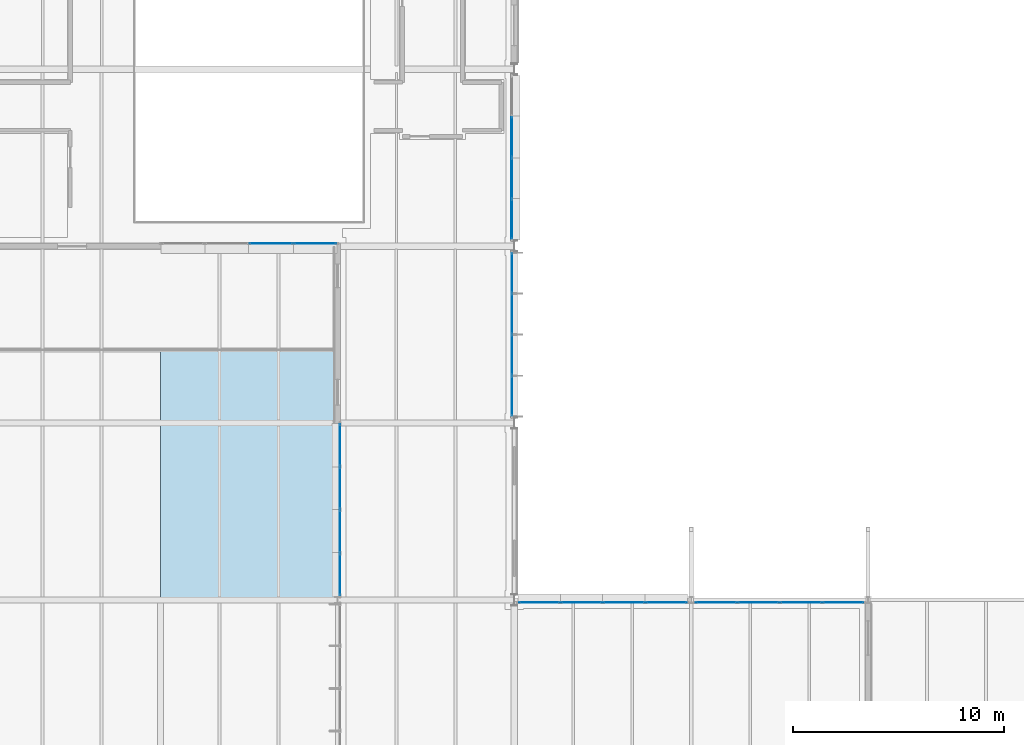
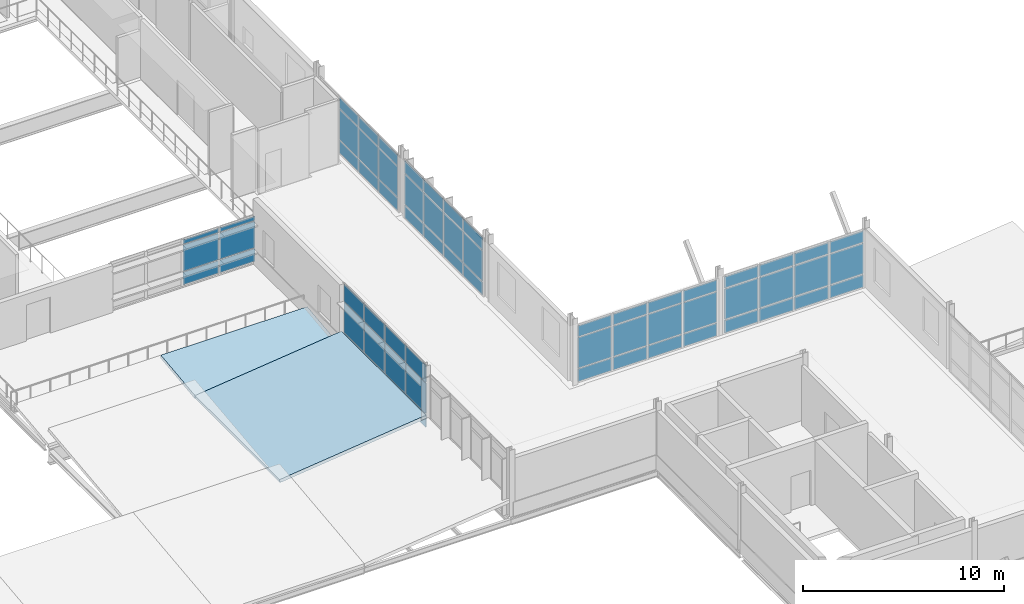
# One storey, part 96 of 131: 63 plates, 2 slabs, 6 elements without a shape of their own.
"""IFC4 building model written with IfcOpenShell, lengths in metres."""

from ifc_helpers import new_model, si_unit, direction, frame, origin, origin_2d, place, context, subcontext, project, spatial, polyline, rectangle, outline, extrude, material, layer, layer_set, type_object, element, aggregate, save


model = new_model("IFC4")

# Units and contexts
model_context = context("Model", 3, precision=1e-05, world=origin(), true_north=direction((0.0, 1.0)))
body_context = subcontext(model_context, "Body", "Model", "MODEL_VIEW")
ifc_project = project(units=[si_unit("LENGTHUNIT", "METRE"), si_unit("AREAUNIT", "SQUARE_METRE"), si_unit("VOLUMEUNIT", "CUBIC_METRE"), si_unit("PLANEANGLEUNIT", "RADIAN"), si_unit("MASSUNIT", "GRAM", prefix="KILO")], contexts=[model_context])

# Site, building, storey
site_placement = place(None, origin())
site = spatial("IfcSite", under=ifc_project, at=site_placement, CompositionType="ELEMENT")
building_placement = place(site_placement, origin())
building = spatial("IfcBuilding", under=site, at=building_placement, Name="Mersafa Astral City Hall", CompositionType="ELEMENT")
storey_placement = place(building_placement, frame((0.0, 0.0, 13.949951171875)))
storey = spatial("IfcBuildingStorey", under=building, at=storey_placement, Name="L03", CompositionType="ELEMENT", Elevation=13.949951171875)

# Curtain wall, plates
ifc_material_1 = material(Name="Anodised bronze aluminium framing", Category="aluminium")
curtain_wall_type_1 = type_object("IfcCurtainWallType", Name="ENV-CW-3", PredefinedType="USERDEFINED", material=ifc_material_1)
curtain_wall_1_placement = place(storey_placement, origin())
curtain_wall_1 = element("IfcCurtainWall", 1, at=curtain_wall_1_placement, inside=storey, type_object=curtain_wall_type_1, Name="L03 Unitised solar curtain wall 152", ObjectType="UNITISED CURTAIN WALL", PredefinedType="USERDEFINED")
ifc_material_2 = material(Name="Solar control low-e double glazing", Category="glass")
ifc_layer_1 = layer(ifc_material_2, 0.028076171875, Name="Solar control low-e double glazing")
ifc_layer_set_1 = layer_set([ifc_layer_1], Name="Solar control low-e double glazing — ENV-CW-PNL-GLZ-1")
plate_type_1 = type_object("IfcPlateType", Name="ENV-CW-PNL-GLZ-1", PredefinedType="CURTAIN_PANEL", material=ifc_layer_set_1)
plate_1_placement = place(storey_placement, frame((117.47998046875, 43.2802734375, 0.05810546875), z_axis=(0.0, 0.0, 1.0), x_axis=(0.0, 1.0, 0.0)))
plate_1 = element("IfcPlate", 2, at=plate_1_placement, type_object=plate_type_1, Name="CW-3 panel 1.1", PredefinedType="CURTAIN_PANEL", context=body_context, shape_type="SweptSolid", body=[
    extrude(rectangle(XDim=1.866455078125, YDim=0.028076171875, at=origin_2d()), origin(), (0.0, 0.0, 1.0), 0.761962890625),
])
plate_2_placement = place(storey_placement, frame((117.47998046875, 43.2802734375, 0.8798828125), z_axis=(0.0, 0.0, 1.0), x_axis=(0.0, 1.0, 0.0)))
plate_2 = element("IfcPlate", 3, at=plate_2_placement, type_object=plate_type_1, Name="CW-3 panel 1.2", PredefinedType="CURTAIN_PANEL", context=body_context, shape_type="SweptSolid", body=[
    extrude(rectangle(XDim=1.866455078125, YDim=0.028076171875, at=origin_2d()), origin(), (0.0, 0.0, 1.0), 1.840087890625),
])
plate_3_placement = place(storey_placement, frame((117.47998046875, 43.2802734375, 2.77978515625), z_axis=(0.0, 0.0, 1.0), x_axis=(0.0, 1.0, 0.0)))
plate_3 = element("IfcPlate", 4, at=plate_3_placement, type_object=plate_type_1, Name="CW-3 panel 1.3", PredefinedType="CURTAIN_PANEL", context=body_context, shape_type="SweptSolid", body=[
    extrude(rectangle(XDim=1.866455078125, YDim=0.028076171875, at=origin_2d()), origin(), (0.0, 0.0, 1.0), 0.737060546875),
])
plate_4_placement = place(storey_placement, frame((117.47998046875, 45.2216796875, 0.05810546875), z_axis=(0.0, 0.0, 1.0), x_axis=(0.0, 1.0, 0.0)))
plate_4 = element("IfcPlate", 5, at=plate_4_placement, type_object=plate_type_1, Name="CW-3 panel 2.1", PredefinedType="CURTAIN_PANEL", context=body_context, shape_type="SweptSolid", body=[
    extrude(rectangle(XDim=1.896484375, YDim=0.028076171875, at=origin_2d()), origin(), (0.0, 0.0, 1.0), 0.761962890625),
])
plate_5_placement = place(storey_placement, frame((117.47998046875, 45.2216796875, 0.8798828125), z_axis=(0.0, 0.0, 1.0), x_axis=(0.0, 1.0, 0.0)))
plate_5 = element("IfcPlate", 6, at=plate_5_placement, type_object=plate_type_1, Name="CW-3 panel 2.2", PredefinedType="CURTAIN_PANEL", context=body_context, shape_type="SweptSolid", body=[
    extrude(rectangle(XDim=1.896484375, YDim=0.028076171875, at=origin_2d()), origin(), (0.0, 0.0, 1.0), 1.840087890625),
])
plate_6_placement = place(storey_placement, frame((117.47998046875, 45.2216796875, 2.77978515625), z_axis=(0.0, 0.0, 1.0), x_axis=(0.0, 1.0, 0.0)))
plate_6 = element("IfcPlate", 7, at=plate_6_placement, type_object=plate_type_1, Name="CW-3 panel 2.3", PredefinedType="CURTAIN_PANEL", context=body_context, shape_type="SweptSolid", body=[
    extrude(rectangle(XDim=1.896484375, YDim=0.028076171875, at=origin_2d()), origin(), (0.0, 0.0, 1.0), 0.737060546875),
])
plate_7_placement = place(storey_placement, frame((117.47998046875, 47.17822265625, 0.05810546875), z_axis=(0.0, 0.0, 1.0), x_axis=(0.0, 1.0, 0.0)))
plate_7 = element("IfcPlate", 8, at=plate_7_placement, type_object=plate_type_1, Name="CW-3 panel 3.1", PredefinedType="CURTAIN_PANEL", context=body_context, shape_type="SweptSolid", body=[
    extrude(rectangle(XDim=1.896484375, YDim=0.028076171875, at=origin_2d()), origin(), (0.0, 0.0, 1.0), 0.761962890625),
])
plate_8_placement = place(storey_placement, frame((117.47998046875, 47.17822265625, 0.8798828125), z_axis=(0.0, 0.0, 1.0), x_axis=(0.0, 1.0, 0.0)))
plate_8 = element("IfcPlate", 9, at=plate_8_placement, type_object=plate_type_1, Name="CW-3 panel 3.2", PredefinedType="CURTAIN_PANEL", context=body_context, shape_type="SweptSolid", body=[
    extrude(rectangle(XDim=1.896484375, YDim=0.028076171875, at=origin_2d()), origin(), (0.0, 0.0, 1.0), 1.840087890625),
])
plate_9_placement = place(storey_placement, frame((117.47998046875, 47.17822265625, 2.77978515625), z_axis=(0.0, 0.0, 1.0), x_axis=(0.0, 1.0, 0.0)))
plate_9 = element("IfcPlate", 10, at=plate_9_placement, type_object=plate_type_1, Name="CW-3 panel 3.3", PredefinedType="CURTAIN_PANEL", context=body_context, shape_type="SweptSolid", body=[
    extrude(rectangle(XDim=1.896484375, YDim=0.028076171875, at=origin_2d()), origin(), (0.0, 0.0, 1.0), 0.737060546875),
])
plate_10_placement = place(storey_placement, frame((117.47998046875, 49.11962890625, 0.05810546875), z_axis=(0.0, 0.0, 1.0), x_axis=(0.0, 1.0, 0.0)))
plate_10 = element("IfcPlate", 11, at=plate_10_placement, type_object=plate_type_1, Name="CW-3 panel 4.1", PredefinedType="CURTAIN_PANEL", context=body_context, shape_type="SweptSolid", body=[
    extrude(rectangle(XDim=1.866455078125, YDim=0.028076171875, at=origin_2d()), origin(), (0.0, 0.0, 1.0), 0.761962890625),
])
plate_11_placement = place(storey_placement, frame((117.47998046875, 49.11962890625, 0.8798828125), z_axis=(0.0, 0.0, 1.0), x_axis=(0.0, 1.0, 0.0)))
plate_11 = element("IfcPlate", 12, at=plate_11_placement, type_object=plate_type_1, Name="CW-3 panel 4.2", PredefinedType="CURTAIN_PANEL", context=body_context, shape_type="SweptSolid", body=[
    extrude(rectangle(XDim=1.866455078125, YDim=0.028076171875, at=origin_2d()), origin(), (0.0, 0.0, 1.0), 1.840087890625),
])
plate_12_placement = place(storey_placement, frame((117.47998046875, 49.11962890625, 2.77978515625), z_axis=(0.0, 0.0, 1.0), x_axis=(0.0, 1.0, 0.0)))
plate_12 = element("IfcPlate", 13, at=plate_12_placement, type_object=plate_type_1, Name="CW-3 panel 4.3", PredefinedType="CURTAIN_PANEL", context=body_context, shape_type="SweptSolid", body=[
    extrude(rectangle(XDim=1.866455078125, YDim=0.028076171875, at=origin_2d()), origin(), (0.0, 0.0, 1.0), 0.737060546875),
])
aggregate(curtain_wall_1, [plate_1, plate_2, plate_3, plate_4, plate_5, plate_6, plate_7, plate_8, plate_9, plate_10, plate_11, plate_12])

curtain_wall_2_placement = place(storey_placement, origin())
curtain_wall_2 = element("IfcCurtainWall", 14, at=curtain_wall_2_placement, inside=storey, type_object=curtain_wall_type_1, Name="L03 Unitised solar curtain wall 188", ObjectType="UNITISED CURTAIN WALL", PredefinedType="USERDEFINED")
plate_13_placement = place(storey_placement, frame((106.050048828125, 50.52001953125, 0.05810546875), z_axis=(0.0, 0.0, 1.0), x_axis=(1.0, 0.0, 0.0)))
plate_13 = element("IfcPlate", 15, at=plate_13_placement, type_object=plate_type_1, Name="CW-3 panel 3.1", PredefinedType="CURTAIN_PANEL", context=body_context, shape_type="SweptSolid", body=[
    extrude(rectangle(XDim=2.0400390625, YDim=0.028076171875, at=origin_2d()), origin(), (0.0, 0.0, 1.0), 0.761962890625),
])
plate_14_placement = place(storey_placement, frame((106.050048828125, 50.52001953125, 0.880126953125), z_axis=(0.0, 0.0, 1.0), x_axis=(1.0, 0.0, 0.0)))
plate_14 = element("IfcPlate", 16, at=plate_14_placement, type_object=plate_type_1, Name="CW-3 panel 3.2", PredefinedType="CURTAIN_PANEL", context=body_context, shape_type="SweptSolid", body=[
    extrude(rectangle(XDim=2.0400390625, YDim=0.028076171875, at=origin_2d()), origin(), (0.0, 0.0, 1.0), 1.5869140625),
])
plate_15_placement = place(storey_placement, frame((106.050048828125, 50.52001953125, 2.52685546875), z_axis=(0.0, 0.0, 1.0), x_axis=(1.0, 0.0, 0.0)))
plate_15 = element("IfcPlate", 17, at=plate_15_placement, type_object=plate_type_1, Name="CW-3 panel 3.3", PredefinedType="CURTAIN_PANEL", context=body_context, shape_type="SweptSolid", body=[
    extrude(rectangle(XDim=2.0400390625, YDim=0.028076171875, at=origin_2d()), origin(), (0.0, 0.0, 1.0), 0.260009765625),
])
plate_16_placement = place(storey_placement, frame((108.135009765625, 50.52001953125, 0.05810546875), z_axis=(0.0, 0.0, 1.0), x_axis=(1.0, 0.0, 0.0)))
plate_16 = element("IfcPlate", 18, at=plate_16_placement, type_object=plate_type_1, Name="CW-3 panel 4.1", PredefinedType="CURTAIN_PANEL", context=body_context, shape_type="SweptSolid", body=[
    extrude(rectangle(XDim=2.010009765625, YDim=0.028076171875, at=origin_2d()), origin(), (0.0, 0.0, 1.0), 0.761962890625),
])
plate_17_placement = place(storey_placement, frame((108.135009765625, 50.52001953125, 0.880126953125), z_axis=(0.0, 0.0, 1.0), x_axis=(1.0, 0.0, 0.0)))
plate_17 = element("IfcPlate", 19, at=plate_17_placement, type_object=plate_type_1, Name="CW-3 panel 4.2", PredefinedType="CURTAIN_PANEL", context=body_context, shape_type="SweptSolid", body=[
    extrude(rectangle(XDim=2.010009765625, YDim=0.028076171875, at=origin_2d()), origin(), (0.0, 0.0, 1.0), 1.5869140625),
])
plate_18_placement = place(storey_placement, frame((108.135009765625, 50.52001953125, 2.52685546875), z_axis=(0.0, 0.0, 1.0), x_axis=(1.0, 0.0, 0.0)))
plate_18 = element("IfcPlate", 20, at=plate_18_placement, type_object=plate_type_1, Name="CW-3 panel 4.3", PredefinedType="CURTAIN_PANEL", context=body_context, shape_type="SweptSolid", body=[
    extrude(rectangle(XDim=2.010009765625, YDim=0.028076171875, at=origin_2d()), origin(), (0.0, 0.0, 1.0), 0.260009765625),
])
aggregate(curtain_wall_2, [plate_13, plate_14, plate_15, plate_16, plate_17, plate_18])

curtain_wall_type_2 = type_object("IfcCurtainWallType", Name="ENV-CW-4", PredefinedType="USERDEFINED", material=ifc_material_1)
curtain_wall_3_placement = place(storey_placement, origin())
curtain_wall_3 = element("IfcCurtainWall", 21, at=curtain_wall_3_placement, inside=storey, type_object=curtain_wall_type_2, Name="L03 Unitised solar curtain wall 153", ObjectType="UNITISED CURTAIN WALL", PredefinedType="USERDEFINED")
ifc_layer_2 = layer(ifc_material_2, 0.031982421875, Name="Solar control low-e double glazing")
ifc_layer_set_2 = layer_set([ifc_layer_2], Name="Solar control low-e double glazing — ENV-CW-PNL-GLZ-2")
plate_type_2 = type_object("IfcPlateType", Name="ENV-CW-PNL-GLZ-2", PredefinedType="CURTAIN_PANEL", material=ifc_layer_set_2)
plate_19_placement = place(storey_placement, frame((117.47998046875, 51.68017578125, 0.05810546875), z_axis=(0.0, 0.0, 1.0), x_axis=(0.0, 1.0, 0.0)))
plate_19 = element("IfcPlate", 22, at=plate_19_placement, type_object=plate_type_2, Name="CW-4 panel 1.1", PredefinedType="CURTAIN_PANEL", context=body_context, shape_type="SweptSolid", body=[
    extrude(rectangle(XDim=1.866455078125, YDim=0.031982421875, at=origin_2d()), origin(), (0.0, 0.0, 1.0), 0.761962890625),
])
plate_20_placement = place(storey_placement, frame((117.47998046875, 51.68017578125, 0.8798828125), z_axis=(0.0, 0.0, 1.0), x_axis=(0.0, 1.0, 0.0)))
plate_20 = element("IfcPlate", 23, at=plate_20_placement, type_object=plate_type_2, Name="CW-4 panel 1.2", PredefinedType="CURTAIN_PANEL", context=body_context, shape_type="SweptSolid", body=[
    extrude(rectangle(XDim=1.866455078125, YDim=0.031982421875, at=origin_2d()), origin(), (0.0, 0.0, 1.0), 1.840087890625),
])
plate_21_placement = place(storey_placement, frame((117.47998046875, 51.68017578125, 2.780029296875), z_axis=(0.0, 0.0, 1.0), x_axis=(0.0, 1.0, 0.0)))
plate_21 = element("IfcPlate", 24, at=plate_21_placement, type_object=plate_type_2, Name="CW-4 panel 1.3", PredefinedType="CURTAIN_PANEL", context=body_context, shape_type="SweptSolid", body=[
    extrude(rectangle(XDim=1.866455078125, YDim=0.031982421875, at=origin_2d()), origin(), (0.0, 0.0, 1.0), 0.64697265625),
])
plate_22_placement = place(storey_placement, frame((117.47998046875, 53.621826171875, 0.05810546875), z_axis=(0.0, 0.0, 1.0), x_axis=(0.0, 1.0, 0.0)))
plate_22 = element("IfcPlate", 25, at=plate_22_placement, type_object=plate_type_2, Name="CW-4 panel 2.1", PredefinedType="CURTAIN_PANEL", context=body_context, shape_type="SweptSolid", body=[
    extrude(rectangle(XDim=1.896484375, YDim=0.031982421875, at=origin_2d()), origin(), (0.0, 0.0, 1.0), 0.761962890625),
])
plate_23_placement = place(storey_placement, frame((117.47998046875, 53.621826171875, 0.8798828125), z_axis=(0.0, 0.0, 1.0), x_axis=(0.0, 1.0, 0.0)))
plate_23 = element("IfcPlate", 26, at=plate_23_placement, type_object=plate_type_2, Name="CW-4 panel 2.2", PredefinedType="CURTAIN_PANEL", context=body_context, shape_type="SweptSolid", body=[
    extrude(rectangle(XDim=1.896484375, YDim=0.031982421875, at=origin_2d()), origin(), (0.0, 0.0, 1.0), 1.840087890625),
])
plate_24_placement = place(storey_placement, frame((117.47998046875, 53.621826171875, 2.780029296875), z_axis=(0.0, 0.0, 1.0), x_axis=(0.0, 1.0, 0.0)))
plate_24 = element("IfcPlate", 27, at=plate_24_placement, type_object=plate_type_2, Name="CW-4 panel 2.3", PredefinedType="CURTAIN_PANEL", context=body_context, shape_type="SweptSolid", body=[
    extrude(rectangle(XDim=1.896484375, YDim=0.031982421875, at=origin_2d()), origin(), (0.0, 0.0, 1.0), 0.64697265625),
])
plate_25_placement = place(storey_placement, frame((117.47998046875, 55.578369140625, 0.05810546875), z_axis=(0.0, 0.0, 1.0), x_axis=(0.0, 1.0, 0.0)))
plate_25 = element("IfcPlate", 28, at=plate_25_placement, type_object=plate_type_2, Name="CW-4 panel 3.1", PredefinedType="CURTAIN_PANEL", context=body_context, shape_type="SweptSolid", body=[
    extrude(rectangle(XDim=1.896484375, YDim=0.031982421875, at=origin_2d()), origin(), (0.0, 0.0, 1.0), 0.761962890625),
])
plate_26_placement = place(storey_placement, frame((117.47998046875, 55.578369140625, 0.8798828125), z_axis=(0.0, 0.0, 1.0), x_axis=(0.0, 1.0, 0.0)))
plate_26 = element("IfcPlate", 29, at=plate_26_placement, type_object=plate_type_2, Name="CW-4 panel 3.2", PredefinedType="CURTAIN_PANEL", context=body_context, shape_type="SweptSolid", body=[
    extrude(rectangle(XDim=1.896484375, YDim=0.031982421875, at=origin_2d()), origin(), (0.0, 0.0, 1.0), 1.840087890625),
])
plate_27_placement = place(storey_placement, frame((117.47998046875, 55.578369140625, 2.780029296875), z_axis=(0.0, 0.0, 1.0), x_axis=(0.0, 1.0, 0.0)))
plate_27 = element("IfcPlate", 30, at=plate_27_placement, type_object=plate_type_2, Name="CW-4 panel 3.3", PredefinedType="CURTAIN_PANEL", context=body_context, shape_type="SweptSolid", body=[
    extrude(rectangle(XDim=1.896484375, YDim=0.031982421875, at=origin_2d()), origin(), (0.0, 0.0, 1.0), 0.64697265625),
])
aggregate(curtain_wall_3, [plate_19, plate_20, plate_21, plate_22, plate_23, plate_24, plate_25, plate_26, plate_27])

curtain_wall_4_placement = place(storey_placement, origin())
curtain_wall_4 = element("IfcCurtainWall", 31, at=curtain_wall_4_placement, inside=storey, type_object=curtain_wall_type_2, Name="L03 Unitised solar curtain wall 189", ObjectType="UNITISED CURTAIN WALL", PredefinedType="USERDEFINED")
plate_28_placement = place(storey_placement, frame((109.320068359375, 40.955322265625, 0.05810546875), z_axis=(0.0, 0.0, 1.0), x_axis=(0.0, -1.0, 0.0)))
plate_28 = element("IfcPlate", 32, at=plate_28_placement, type_object=plate_type_2, Name="CW-4 panel 1.1", PredefinedType="CURTAIN_PANEL", context=body_context, shape_type="SweptSolid", body=[
    extrude(rectangle(XDim=1.969482421875, YDim=0.031982421875, at=origin_2d()), origin(), (0.0, 0.0, 1.0), 0.761962890625),
])
plate_29_placement = place(storey_placement, frame((109.320068359375, 40.955322265625, 0.8798828125), z_axis=(0.0, 0.0, 1.0), x_axis=(0.0, -1.0, 0.0)))
plate_29 = element("IfcPlate", 33, at=plate_29_placement, type_object=plate_type_2, Name="CW-4 panel 1.2", PredefinedType="CURTAIN_PANEL", context=body_context, shape_type="SweptSolid", body=[
    extrude(rectangle(XDim=1.969482421875, YDim=0.031982421875, at=origin_2d()), origin(), (0.0, 0.0, 1.0), 1.840087890625),
])
plate_30_placement = place(storey_placement, frame((109.320068359375, 40.955322265625, 2.780029296875), z_axis=(0.0, 0.0, 1.0), x_axis=(0.0, -1.0, 0.0)))
plate_30 = element("IfcPlate", 34, at=plate_30_placement, type_object=plate_type_2, Name="CW-4 panel 1.3", PredefinedType="CURTAIN_PANEL", context=body_context, shape_type="SweptSolid", body=[
    extrude(rectangle(XDim=1.969482421875, YDim=0.031982421875, at=origin_2d()), origin(), (0.0, 0.0, 1.0), 1.02490234375),
])
plate_31_placement = place(storey_placement, frame((109.320068359375, 38.91064453125, 0.05810546875), z_axis=(0.0, 0.0, 1.0), x_axis=(0.0, -1.0, 0.0)))
plate_31 = element("IfcPlate", 35, at=plate_31_placement, type_object=plate_type_2, Name="CW-4 panel 2.1", PredefinedType="CURTAIN_PANEL", context=body_context, shape_type="SweptSolid", body=[
    extrude(rectangle(XDim=1.99951171875, YDim=0.031982421875, at=origin_2d()), origin(), (0.0, 0.0, 1.0), 0.761962890625),
])
plate_32_placement = place(storey_placement, frame((109.320068359375, 38.91064453125, 0.8798828125), z_axis=(0.0, 0.0, 1.0), x_axis=(0.0, -1.0, 0.0)))
plate_32 = element("IfcPlate", 36, at=plate_32_placement, type_object=plate_type_2, Name="CW-4 panel 2.2", PredefinedType="CURTAIN_PANEL", context=body_context, shape_type="SweptSolid", body=[
    extrude(rectangle(XDim=1.99951171875, YDim=0.031982421875, at=origin_2d()), origin(), (0.0, 0.0, 1.0), 1.840087890625),
])
plate_33_placement = place(storey_placement, frame((109.320068359375, 38.91064453125, 2.780029296875), z_axis=(0.0, 0.0, 1.0), x_axis=(0.0, -1.0, 0.0)))
plate_33 = element("IfcPlate", 37, at=plate_33_placement, type_object=plate_type_2, Name="CW-4 panel 2.3", PredefinedType="CURTAIN_PANEL", context=body_context, shape_type="SweptSolid", body=[
    extrude(rectangle(XDim=1.99951171875, YDim=0.031982421875, at=origin_2d()), origin(), (0.0, 0.0, 1.0), 1.02490234375),
])
plate_34_placement = place(storey_placement, frame((109.320068359375, 36.851318359375, 0.05810546875), z_axis=(0.0, 0.0, 1.0), x_axis=(0.0, -1.0, 0.0)))
plate_34 = element("IfcPlate", 38, at=plate_34_placement, type_object=plate_type_2, Name="CW-4 panel 3.1", PredefinedType="CURTAIN_PANEL", context=body_context, shape_type="SweptSolid", body=[
    extrude(rectangle(XDim=1.99951171875, YDim=0.031982421875, at=origin_2d()), origin(), (0.0, 0.0, 1.0), 0.761962890625),
])
plate_35_placement = place(storey_placement, frame((109.320068359375, 36.851318359375, 0.8798828125), z_axis=(0.0, 0.0, 1.0), x_axis=(0.0, -1.0, 0.0)))
plate_35 = element("IfcPlate", 39, at=plate_35_placement, type_object=plate_type_2, Name="CW-4 panel 3.2", PredefinedType="CURTAIN_PANEL", context=body_context, shape_type="SweptSolid", body=[
    extrude(rectangle(XDim=1.99951171875, YDim=0.031982421875, at=origin_2d()), origin(), (0.0, 0.0, 1.0), 1.840087890625),
])
plate_36_placement = place(storey_placement, frame((109.320068359375, 36.851318359375, 2.780029296875), z_axis=(0.0, 0.0, 1.0), x_axis=(0.0, -1.0, 0.0)))
plate_36 = element("IfcPlate", 40, at=plate_36_placement, type_object=plate_type_2, Name="CW-4 panel 3.3", PredefinedType="CURTAIN_PANEL", context=body_context, shape_type="SweptSolid", body=[
    extrude(rectangle(XDim=1.99951171875, YDim=0.031982421875, at=origin_2d()), origin(), (0.0, 0.0, 1.0), 1.02490234375),
])
plate_37_placement = place(storey_placement, frame((109.320068359375, 34.806640625, 0.05810546875), z_axis=(0.0, 0.0, 1.0), x_axis=(0.0, -1.0, 0.0)))
plate_37 = element("IfcPlate", 41, at=plate_37_placement, type_object=plate_type_2, Name="CW-4 panel 4.1", PredefinedType="CURTAIN_PANEL", context=body_context, shape_type="SweptSolid", body=[
    extrude(rectangle(XDim=1.969482421875, YDim=0.031982421875, at=origin_2d()), origin(), (0.0, 0.0, 1.0), 0.761962890625),
])
plate_38_placement = place(storey_placement, frame((109.320068359375, 34.806640625, 0.8798828125), z_axis=(0.0, 0.0, 1.0), x_axis=(0.0, -1.0, 0.0)))
plate_38 = element("IfcPlate", 42, at=plate_38_placement, type_object=plate_type_2, Name="CW-4 panel 4.2", PredefinedType="CURTAIN_PANEL", context=body_context, shape_type="SweptSolid", body=[
    extrude(rectangle(XDim=1.969482421875, YDim=0.031982421875, at=origin_2d()), origin(), (0.0, 0.0, 1.0), 1.840087890625),
])
plate_39_placement = place(storey_placement, frame((109.320068359375, 34.806640625, 2.780029296875), z_axis=(0.0, 0.0, 1.0), x_axis=(0.0, -1.0, 0.0)))
plate_39 = element("IfcPlate", 43, at=plate_39_placement, type_object=plate_type_2, Name="CW-4 panel 4.3", PredefinedType="CURTAIN_PANEL", context=body_context, shape_type="SweptSolid", body=[
    extrude(rectangle(XDim=1.969482421875, YDim=0.031982421875, at=origin_2d()), origin(), (0.0, 0.0, 1.0), 1.02490234375),
])
aggregate(curtain_wall_4, [plate_28, plate_29, plate_30, plate_31, plate_32, plate_33, plate_34, plate_35, plate_36, plate_37, plate_38, plate_39])

curtain_wall_type_3 = type_object("IfcCurtainWallType", Name="ENV-CW-1", PredefinedType="USERDEFINED", material=ifc_material_1)
curtain_wall_5_placement = place(storey_placement, origin())
curtain_wall_5 = element("IfcCurtainWall", 44, at=curtain_wall_5_placement, inside=storey, type_object=curtain_wall_type_3, Name="L03 Unitised solar curtain wall 150", ObjectType="UNITISED CURTAIN WALL", PredefinedType="USERDEFINED")
ifc_layer_3 = layer(ifc_material_2, 0.035888671875, Name="Solar control low-e double glazing")
ifc_layer_set_3 = layer_set([ifc_layer_3], Name="Solar control low-e double glazing — ENV-CW-PNL-GLZ-3")
plate_type_3 = type_object("IfcPlateType", Name="ENV-CW-PNL-GLZ-3", PredefinedType="CURTAIN_PANEL", material=ifc_layer_set_3)
plate_40_placement = place(storey_placement, frame((133.21337890625, 33.47998046875, 0.05810546875), z_axis=(0.0, 0.0, 1.0), x_axis=(-1.0, 0.0, 0.0)))
plate_40 = element("IfcPlate", 45, at=plate_40_placement, type_object=plate_type_3, Name="CW-1 panel 1.1", PredefinedType="CURTAIN_PANEL", context=body_context, shape_type="SweptSolid", body=[
    extrude(rectangle(XDim=1.928955078125, YDim=0.035888671875, at=origin_2d()), origin(), (0.0, 0.0, 1.0), 0.761962890625),
])
plate_41_placement = place(storey_placement, frame((133.21337890625, 33.47998046875, 0.8798828125), z_axis=(0.0, 0.0, 1.0), x_axis=(-1.0, 0.0, 0.0)))
plate_41 = element("IfcPlate", 46, at=plate_41_placement, type_object=plate_type_3, Name="CW-1 panel 1.2", PredefinedType="CURTAIN_PANEL", context=body_context, shape_type="SweptSolid", body=[
    extrude(rectangle(XDim=1.928955078125, YDim=0.035888671875, at=origin_2d()), origin(), (0.0, 0.0, 1.0), 1.840087890625),
])
plate_42_placement = place(storey_placement, frame((133.21337890625, 33.47998046875, 2.780029296875), z_axis=(0.0, 0.0, 1.0), x_axis=(-1.0, 0.0, 0.0)))
plate_42 = element("IfcPlate", 47, at=plate_42_placement, type_object=plate_type_3, Name="CW-1 panel 1.3", PredefinedType="CURTAIN_PANEL", context=body_context, shape_type="SweptSolid", body=[
    extrude(rectangle(XDim=1.928955078125, YDim=0.035888671875, at=origin_2d()), origin(), (0.0, 0.0, 1.0), 0.69189453125),
])
plate_43_placement = place(storey_placement, frame((131.20947265625, 33.47998046875, 0.05810546875), z_axis=(0.0, 0.0, 1.0), x_axis=(-1.0, 0.0, 0.0)))
plate_43 = element("IfcPlate", 48, at=plate_43_placement, type_object=plate_type_3, Name="CW-1 panel 2.1", PredefinedType="CURTAIN_PANEL", context=body_context, shape_type="SweptSolid", body=[
    extrude(rectangle(XDim=1.958984375, YDim=0.035888671875, at=origin_2d()), origin(), (0.0, 0.0, 1.0), 0.761962890625),
])
plate_44_placement = place(storey_placement, frame((131.20947265625, 33.47998046875, 0.8798828125), z_axis=(0.0, 0.0, 1.0), x_axis=(-1.0, 0.0, 0.0)))
plate_44 = element("IfcPlate", 49, at=plate_44_placement, type_object=plate_type_3, Name="CW-1 panel 2.2", PredefinedType="CURTAIN_PANEL", context=body_context, shape_type="SweptSolid", body=[
    extrude(rectangle(XDim=1.958984375, YDim=0.035888671875, at=origin_2d()), origin(), (0.0, 0.0, 1.0), 1.840087890625),
])
plate_45_placement = place(storey_placement, frame((131.20947265625, 33.47998046875, 2.780029296875), z_axis=(0.0, 0.0, 1.0), x_axis=(-1.0, 0.0, 0.0)))
plate_45 = element("IfcPlate", 50, at=plate_45_placement, type_object=plate_type_3, Name="CW-1 panel 2.3", PredefinedType="CURTAIN_PANEL", context=body_context, shape_type="SweptSolid", body=[
    extrude(rectangle(XDim=1.958984375, YDim=0.035888671875, at=origin_2d()), origin(), (0.0, 0.0, 1.0), 0.69189453125),
])
plate_46_placement = place(storey_placement, frame((129.1904296875, 33.47998046875, 0.05810546875), z_axis=(0.0, 0.0, 1.0), x_axis=(-1.0, 0.0, 0.0)))
plate_46 = element("IfcPlate", 51, at=plate_46_placement, type_object=plate_type_3, Name="CW-1 panel 3.1", PredefinedType="CURTAIN_PANEL", context=body_context, shape_type="SweptSolid", body=[
    extrude(rectangle(XDim=1.958984375, YDim=0.035888671875, at=origin_2d()), origin(), (0.0, 0.0, 1.0), 0.761962890625),
])
plate_47_placement = place(storey_placement, frame((129.1904296875, 33.47998046875, 0.8798828125), z_axis=(0.0, 0.0, 1.0), x_axis=(-1.0, 0.0, 0.0)))
plate_47 = element("IfcPlate", 52, at=plate_47_placement, type_object=plate_type_3, Name="CW-1 panel 3.2", PredefinedType="CURTAIN_PANEL", context=body_context, shape_type="SweptSolid", body=[
    extrude(rectangle(XDim=1.958984375, YDim=0.035888671875, at=origin_2d()), origin(), (0.0, 0.0, 1.0), 1.840087890625),
])
plate_48_placement = place(storey_placement, frame((129.1904296875, 33.47998046875, 2.780029296875), z_axis=(0.0, 0.0, 1.0), x_axis=(-1.0, 0.0, 0.0)))
plate_48 = element("IfcPlate", 53, at=plate_48_placement, type_object=plate_type_3, Name="CW-1 panel 3.3", PredefinedType="CURTAIN_PANEL", context=body_context, shape_type="SweptSolid", body=[
    extrude(rectangle(XDim=1.958984375, YDim=0.035888671875, at=origin_2d()), origin(), (0.0, 0.0, 1.0), 0.69189453125),
])
plate_49_placement = place(storey_placement, frame((127.1865234375, 33.47998046875, 0.05810546875), z_axis=(0.0, 0.0, 1.0), x_axis=(-1.0, 0.0, 0.0)))
plate_49 = element("IfcPlate", 54, at=plate_49_placement, type_object=plate_type_3, Name="CW-1 panel 4.1", PredefinedType="CURTAIN_PANEL", context=body_context, shape_type="SweptSolid", body=[
    extrude(rectangle(XDim=1.928955078125, YDim=0.035888671875, at=origin_2d()), origin(), (0.0, 0.0, 1.0), 0.761962890625),
])
plate_50_placement = place(storey_placement, frame((127.1865234375, 33.47998046875, 0.8798828125), z_axis=(0.0, 0.0, 1.0), x_axis=(-1.0, 0.0, 0.0)))
plate_50 = element("IfcPlate", 55, at=plate_50_placement, type_object=plate_type_3, Name="CW-1 panel 4.2", PredefinedType="CURTAIN_PANEL", context=body_context, shape_type="SweptSolid", body=[
    extrude(rectangle(XDim=1.928955078125, YDim=0.035888671875, at=origin_2d()), origin(), (0.0, 0.0, 1.0), 1.840087890625),
])
plate_51_placement = place(storey_placement, frame((127.1865234375, 33.47998046875, 2.780029296875), z_axis=(0.0, 0.0, 1.0), x_axis=(-1.0, 0.0, 0.0)))
plate_51 = element("IfcPlate", 56, at=plate_51_placement, type_object=plate_type_3, Name="CW-1 panel 4.3", PredefinedType="CURTAIN_PANEL", context=body_context, shape_type="SweptSolid", body=[
    extrude(rectangle(XDim=1.928955078125, YDim=0.035888671875, at=origin_2d()), origin(), (0.0, 0.0, 1.0), 0.69189453125),
])
aggregate(curtain_wall_5, [plate_40, plate_41, plate_42, plate_43, plate_44, plate_45, plate_46, plate_47, plate_48, plate_49, plate_50, plate_51])

curtain_wall_type_4 = type_object("IfcCurtainWallType", Name="ENV-CW-2", PredefinedType="USERDEFINED", material=ifc_material_1)
curtain_wall_6_placement = place(storey_placement, origin())
curtain_wall_6 = element("IfcCurtainWall", 57, at=curtain_wall_6_placement, inside=storey, type_object=curtain_wall_type_4, Name="L03 Unitised solar curtain wall 151", ObjectType="UNITISED CURTAIN WALL", PredefinedType="USERDEFINED")
ifc_layer_4 = layer(ifc_material_2, 0.0400390625, Name="Solar control low-e double glazing")
ifc_layer_set_4 = layer_set([ifc_layer_4], Name="Solar control low-e double glazing — ENV-CW-PNL-GLZ-4")
plate_type_4 = type_object("IfcPlateType", Name="ENV-CW-PNL-GLZ-4", PredefinedType="CURTAIN_PANEL", material=ifc_layer_set_4)
plate_52_placement = place(storey_placement, frame((124.8134765625, 33.47998046875, 0.05810546875), z_axis=(0.0, 0.0, 1.0), x_axis=(-1.0, 0.0, 0.0)))
plate_52 = element("IfcPlate", 58, at=plate_52_placement, type_object=plate_type_4, Name="CW-2 panel 1.1", PredefinedType="CURTAIN_PANEL", context=body_context, shape_type="SweptSolid", body=[
    extrude(rectangle(XDim=1.928955078125, YDim=0.0400390625, at=origin_2d()), origin(), (0.0, 0.0, 1.0), 0.761962890625),
])
plate_53_placement = place(storey_placement, frame((124.8134765625, 33.47998046875, 0.8798828125), z_axis=(0.0, 0.0, 1.0), x_axis=(-1.0, 0.0, 0.0)))
plate_53 = element("IfcPlate", 59, at=plate_53_placement, type_object=plate_type_4, Name="CW-2 panel 1.2", PredefinedType="CURTAIN_PANEL", context=body_context, shape_type="SweptSolid", body=[
    extrude(rectangle(XDim=1.928955078125, YDim=0.0400390625, at=origin_2d()), origin(), (0.0, 0.0, 1.0), 1.840087890625),
])
plate_54_placement = place(storey_placement, frame((124.8134765625, 33.47998046875, 2.780029296875), z_axis=(0.0, 0.0, 1.0), x_axis=(-1.0, 0.0, 0.0)))
plate_54 = element("IfcPlate", 60, at=plate_54_placement, type_object=plate_type_4, Name="CW-2 panel 1.3", PredefinedType="CURTAIN_PANEL", context=body_context, shape_type="SweptSolid", body=[
    extrude(rectangle(XDim=1.928955078125, YDim=0.0400390625, at=origin_2d()), origin(), (0.0, 0.0, 1.0), 0.662109375),
])
plate_55_placement = place(storey_placement, frame((122.8095703125, 33.47998046875, 0.05810546875), z_axis=(0.0, 0.0, 1.0), x_axis=(-1.0, 0.0, 0.0)))
plate_55 = element("IfcPlate", 61, at=plate_55_placement, type_object=plate_type_4, Name="CW-2 panel 2.1", PredefinedType="CURTAIN_PANEL", context=body_context, shape_type="SweptSolid", body=[
    extrude(rectangle(XDim=1.958984375, YDim=0.0400390625, at=origin_2d()), origin(), (0.0, 0.0, 1.0), 0.761962890625),
])
plate_56_placement = place(storey_placement, frame((122.8095703125, 33.47998046875, 0.8798828125), z_axis=(0.0, 0.0, 1.0), x_axis=(-1.0, 0.0, 0.0)))
plate_56 = element("IfcPlate", 62, at=plate_56_placement, type_object=plate_type_4, Name="CW-2 panel 2.2", PredefinedType="CURTAIN_PANEL", context=body_context, shape_type="SweptSolid", body=[
    extrude(rectangle(XDim=1.958984375, YDim=0.0400390625, at=origin_2d()), origin(), (0.0, 0.0, 1.0), 1.840087890625),
])
plate_57_placement = place(storey_placement, frame((122.8095703125, 33.47998046875, 2.780029296875), z_axis=(0.0, 0.0, 1.0), x_axis=(-1.0, 0.0, 0.0)))
plate_57 = element("IfcPlate", 63, at=plate_57_placement, type_object=plate_type_4, Name="CW-2 panel 2.3", PredefinedType="CURTAIN_PANEL", context=body_context, shape_type="SweptSolid", body=[
    extrude(rectangle(XDim=1.958984375, YDim=0.0400390625, at=origin_2d()), origin(), (0.0, 0.0, 1.0), 0.662109375),
])
plate_58_placement = place(storey_placement, frame((120.79052734375, 33.47998046875, 0.05810546875), z_axis=(0.0, 0.0, 1.0), x_axis=(-1.0, 0.0, 0.0)))
plate_58 = element("IfcPlate", 64, at=plate_58_placement, type_object=plate_type_4, Name="CW-2 panel 3.1", PredefinedType="CURTAIN_PANEL", context=body_context, shape_type="SweptSolid", body=[
    extrude(rectangle(XDim=1.958984375, YDim=0.0400390625, at=origin_2d()), origin(), (0.0, 0.0, 1.0), 0.761962890625),
])
plate_59_placement = place(storey_placement, frame((120.79052734375, 33.47998046875, 0.8798828125), z_axis=(0.0, 0.0, 1.0), x_axis=(-1.0, 0.0, 0.0)))
plate_59 = element("IfcPlate", 65, at=plate_59_placement, type_object=plate_type_4, Name="CW-2 panel 3.2", PredefinedType="CURTAIN_PANEL", context=body_context, shape_type="SweptSolid", body=[
    extrude(rectangle(XDim=1.958984375, YDim=0.0400390625, at=origin_2d()), origin(), (0.0, 0.0, 1.0), 1.840087890625),
])
plate_60_placement = place(storey_placement, frame((120.79052734375, 33.47998046875, 2.780029296875), z_axis=(0.0, 0.0, 1.0), x_axis=(-1.0, 0.0, 0.0)))
plate_60 = element("IfcPlate", 66, at=plate_60_placement, type_object=plate_type_4, Name="CW-2 panel 3.3", PredefinedType="CURTAIN_PANEL", context=body_context, shape_type="SweptSolid", body=[
    extrude(rectangle(XDim=1.958984375, YDim=0.0400390625, at=origin_2d()), origin(), (0.0, 0.0, 1.0), 0.662109375),
])
plate_61_placement = place(storey_placement, frame((118.78662109375, 33.47998046875, 0.05810546875), z_axis=(0.0, 0.0, 1.0), x_axis=(-1.0, 0.0, 0.0)))
plate_61 = element("IfcPlate", 67, at=plate_61_placement, type_object=plate_type_4, Name="CW-2 panel 4.1", PredefinedType="CURTAIN_PANEL", context=body_context, shape_type="SweptSolid", body=[
    extrude(rectangle(XDim=1.928955078125, YDim=0.0400390625, at=origin_2d()), origin(), (0.0, 0.0, 1.0), 0.761962890625),
])
plate_62_placement = place(storey_placement, frame((118.78662109375, 33.47998046875, 0.8798828125), z_axis=(0.0, 0.0, 1.0), x_axis=(-1.0, 0.0, 0.0)))
plate_62 = element("IfcPlate", 68, at=plate_62_placement, type_object=plate_type_4, Name="CW-2 panel 4.2", PredefinedType="CURTAIN_PANEL", context=body_context, shape_type="SweptSolid", body=[
    extrude(rectangle(XDim=1.928955078125, YDim=0.0400390625, at=origin_2d()), origin(), (0.0, 0.0, 1.0), 1.840087890625),
])
plate_63_placement = place(storey_placement, frame((118.78662109375, 33.47998046875, 2.780029296875), z_axis=(0.0, 0.0, 1.0), x_axis=(-1.0, 0.0, 0.0)))
plate_63 = element("IfcPlate", 69, at=plate_63_placement, type_object=plate_type_4, Name="CW-2 panel 4.3", PredefinedType="CURTAIN_PANEL", context=body_context, shape_type="SweptSolid", body=[
    extrude(rectangle(XDim=1.928955078125, YDim=0.0400390625, at=origin_2d()), origin(), (0.0, 0.0, 1.0), 0.662109375),
])
aggregate(curtain_wall_6, [plate_52, plate_53, plate_54, plate_55, plate_56, plate_57, plate_58, plate_59, plate_60, plate_61, plate_62, plate_63])

# Slabs
ifc_material_3 = material(Name="Concrete C40/50", Category="concrete")
ifc_layer_5 = layer(ifc_material_3, 0.199951171875, Name="Concrete C40/50")
ifc_layer_set_5 = layer_set([ifc_layer_5], Name="Concrete C40/50 — STR-SLAB-ROOF-200")
slab_type = type_object("IfcSlabType", Name="STR-SLAB-ROOF-200", PredefinedType="ROOF", material=ifc_layer_set_5)
slab_1_placement = place(storey_placement, frame((109.19189453125, 33.60009765625, 0.965087890625), z_axis=(-0.114250018025, 0.0, 0.993452028727), x_axis=(0.0, 1.0, 0.0)))
element("IfcSlab", 70, at=slab_1_placement, inside=storey, type_object=slab_type, Name="L03 Scupper-sloped wing roof slab 1-8", PredefinedType="ROOF", context=body_context, shape_type="SweptSolid", body=[
    extrude(outline(polyline([(0.0, 0.0), (8.39990234375, 0.0), (8.39990234375, 8.447157447430971), (0.0, 8.447157447430971), (0.0, 0.0)])), origin(), (0.0, 0.0, -1.0), 0.199951171875),
])
slab_2_placement = place(storey_placement, frame((109.19189453125, 45.39208984375, 0.39013671875), z_axis=(0.0, -0.11426043099, 0.993450831149), x_axis=(-1.0, 0.0, 0.0)))
element("IfcSlab", 71, at=slab_2_placement, inside=storey, type_object=slab_type, Name="L03 Scupper-sloped wing roof slab 1-9", PredefinedType="ROOF", context=body_context, shape_type="SweptSolid", body=[
    extrude(outline(polyline([(0.0, 0.0), (8.391845703125, 0.0), (8.391845703125, 3.414451664233792), (0.0, 3.414451664233792), (0.0, 0.0)])), origin(), (0.0, 0.0, -1.0), 0.199951171875),
])

save(model, "model.ifc")
